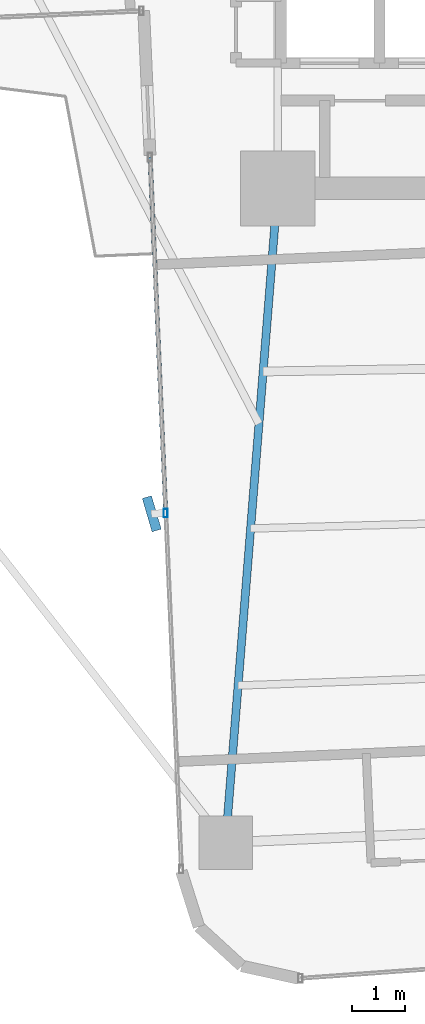
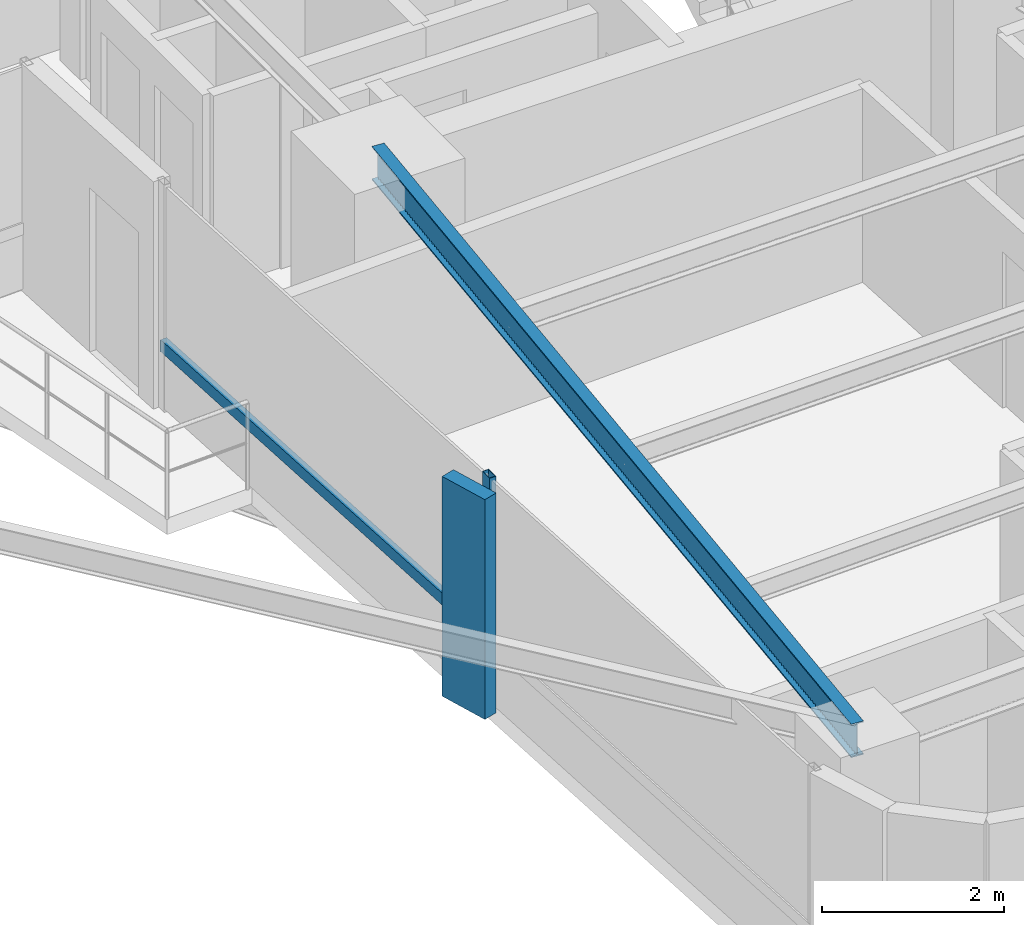
# One storey, part 4 of 27: 3 members, 1 beam, 1 element without a shape of its own.
"""IFC4 building model written with IfcOpenShell, lengths in metres."""

from ifc_helpers import new_model, si_unit, direction, frame, origin, origin_2d, place, context, subcontext, project, spatial, rectangle, hollow_rectangle, i_section, extrude, source, transform, mapped, material, material_profile, profile_set, type_object, element, aggregate, save


model = new_model("IFC4")

# Units and contexts
model_context = context("Model", 3, precision=1e-05, world=origin(), true_north=direction((0.0, 1.0)))
body_context = subcontext(model_context, "Body", "Model", "MODEL_VIEW")
ifc_project = project(units=[si_unit("LENGTHUNIT", "METRE"), si_unit("AREAUNIT", "SQUARE_METRE"), si_unit("VOLUMEUNIT", "CUBIC_METRE"), si_unit("PLANEANGLEUNIT", "RADIAN"), si_unit("MASSUNIT", "GRAM", prefix="KILO")], contexts=[model_context])

# Site, building, storey
site_placement = place(None, origin())
site = spatial("IfcSite", under=ifc_project, at=site_placement, CompositionType="ELEMENT")
building_placement = place(site_placement, origin())
building = spatial("IfcBuilding", under=site, at=building_placement, Name="Sahyath Konkavel Grand Hotel", CompositionType="ELEMENT")
storey_placement = place(building_placement, frame((0.0, 0.0, 103.60009765625)))
storey = spatial("IfcBuildingStorey", under=building, at=storey_placement, Name="L28", CompositionType="ELEMENT", Elevation=103.60009765625)

# Beam
ifc_material_1 = material(Name="Steel E350", Category="steel")
ifc_material_profile_1 = material_profile(ifc_material_1, i_section(OverallWidth=0.14990234375, OverallDepth=0.449951171875, WebThickness=0.009521484375, FlangeThickness=0.017333984375, FilletRadius=0.014892578125, at=origin_2d()), Name="ISMB 450")
ifc_profile_set_1 = profile_set([ifc_material_profile_1], Name="Steel E350")
beam_type = type_object("IfcBeamType", Name="BM-ISMB450", PredefinedType="BEAM", material=ifc_profile_set_1)
shared_shape_1 = source(origin(), body_context, "Body", "SweptSolid", [
    extrude(i_section(OverallWidth=0.14990234375, OverallDepth=0.449951171875, WebThickness=0.009521484375, FlangeThickness=0.017333984375, FilletRadius=0.014892578125, at=origin_2d()), origin(), (0.0, 0.0, 1.0), 12.2685546875),
])
beam_placement = place(storey_placement, frame((-3.800048828125, -10.199951171875, 2.824951171875), z_axis=(-0.079558563357, -0.996830193662, 0.0), x_axis=(0.996830193662, -0.079558563357, 0.0)))
element("IfcBeam", 1, at=beam_placement, inside=storey, type_object=beam_type, Name="L28 Cruciform Radial Girder SA", PredefinedType="BEAM", context=body_context, shape_type="MappedRepresentation", body=[
    mapped(shared_shape_1, transform((0.0, 0.0, 0.0), scale=1.0)),
])

# Curtain wall, members
ifc_material_2 = material(Name="Anodised Bronze Aluminium & Low-E Glazing", Category="aluminium")
curtain_wall_type = type_object("IfcCurtainWallType", Name="CW-ZONE2", PredefinedType="NOTDEFINED", material=ifc_material_2)
curtain_wall_placement = place(storey_placement, origin())
curtain_wall = element("IfcCurtainWall", 2, at=curtain_wall_placement, inside=storey, type_object=curtain_wall_type, Name="L28 Unitised Curtain Wall F24", PredefinedType="NOTDEFINED")
ifc_material_3 = material(Name="Anodised Bronze Aluminium", Category="aluminium")
ifc_material_profile_2 = material_profile(ifc_material_3, hollow_rectangle(XDim=0.080078125, YDim=0.159912109375, WallThickness=0.006103515625, at=origin_2d()), Name="RHS 160x80x6")
ifc_profile_set_2 = profile_set([ifc_material_profile_2], Name="Anodised Bronze Aluminium")
member_type_1 = type_object("IfcMemberType", Name="CW-TRN-160", PredefinedType="USERDEFINED", material=ifc_profile_set_2)
shared_shape_2 = source(origin(), body_context, "Body", "SweptSolid", [
    extrude(hollow_rectangle(XDim=0.080078125, YDim=0.159912109375, WallThickness=0.006103515625, at=origin_2d()), origin(), (0.0, 0.0, 1.0), 6.66015625),
])
member_1_placement = place(storey_placement, frame((-6.186279296875, -9.618896484375, 0.849853515625), z_axis=(0.043621753165, -0.999048118286, 0.0), x_axis=(0.999048118286, 0.043621753165, 0.0)))
member_1 = element("IfcMember", 3, at=member_1_placement, type_object=member_type_1, Name="L28 Curtain Wall Transom F24-0-spandrel", ObjectType="TRANSOM", PredefinedType="USERDEFINED", context=body_context, shape_type="MappedRepresentation", body=[
    mapped(shared_shape_2, transform((0.0, 0.0, 0.0), scale=1.0)),
])
ifc_material_profile_3 = material_profile(ifc_material_3, hollow_rectangle(XDim=0.080078125, YDim=0.159912109375, WallThickness=0.006103515625, at=origin_2d()), Name="RHS 160x80x6")
ifc_profile_set_3 = profile_set([ifc_material_profile_3], Name="Anodised Bronze Aluminium")
member_type_2 = type_object("IfcMemberType", Name="CW-MUL-160", PredefinedType="MULLION", material=ifc_profile_set_3)
shared_shape_3 = source(origin(), body_context, "Body", "SweptSolid", [
    extrude(hollow_rectangle(XDim=0.080078125, YDim=0.159912109375, WallThickness=0.006103515625, at=origin_2d()), origin(), (0.0, 0.0, 1.0), 3.0498046875),
])
member_2_placement = place(storey_placement, frame((-5.895751953125, -16.272705078125, 0.0), z_axis=(0.0, 0.0, 1.0), x_axis=(1.0, 0.0, 0.0)))
member_2 = element("IfcMember", 4, at=member_2_placement, type_object=member_type_2, Name="L28 Curtain Wall Mullion F24-1", PredefinedType="MULLION", context=body_context, shape_type="MappedRepresentation", body=[
    mapped(shared_shape_3, transform((0.0, 0.0, 0.0), scale=1.0)),
])
ifc_material_4 = material(Name="Warm Buff Sandstone Cladding on Concrete C50/60", Category="masonry")
ifc_material_profile_4 = material_profile(ifc_material_4, rectangle(XDim=0.179931640625, YDim=0.64990234375, at=origin_2d()), Name="FIN 180x650")
ifc_profile_set_4 = profile_set([ifc_material_profile_4], Name="Warm Buff Sandstone Cladding on Concrete C50/60")
member_type_3 = type_object("IfcMemberType", Name="FIN-SANDSTONE-650", PredefinedType="MULLION", material=ifc_profile_set_4)
shared_shape_4 = source(origin(), body_context, "Body", "SweptSolid", [
    extrude(rectangle(XDim=0.179931640625, YDim=0.64990234375, at=origin_2d()), origin(), (0.0, 0.0, 1.0), 2.9501953125),
])
member_3_placement = place(storey_placement, frame((-6.155517578125, -16.283935546875, 0.0498046875), z_axis=(0.0, 0.0, 1.0), x_axis=(0.959264682049, 0.282508884416, 0.0)))
member_3 = element("IfcMember", 5, at=member_3_placement, type_object=member_type_3, Name="L28 Sandstone Vertical Solar Fin FIN F24-1", PredefinedType="MULLION", context=body_context, shape_type="MappedRepresentation", body=[
    mapped(shared_shape_4, transform((0.0, 0.0, 0.0), scale=1.0)),
])
aggregate(curtain_wall, [member_2, member_3, member_1])

save(model, "model.ifc")
